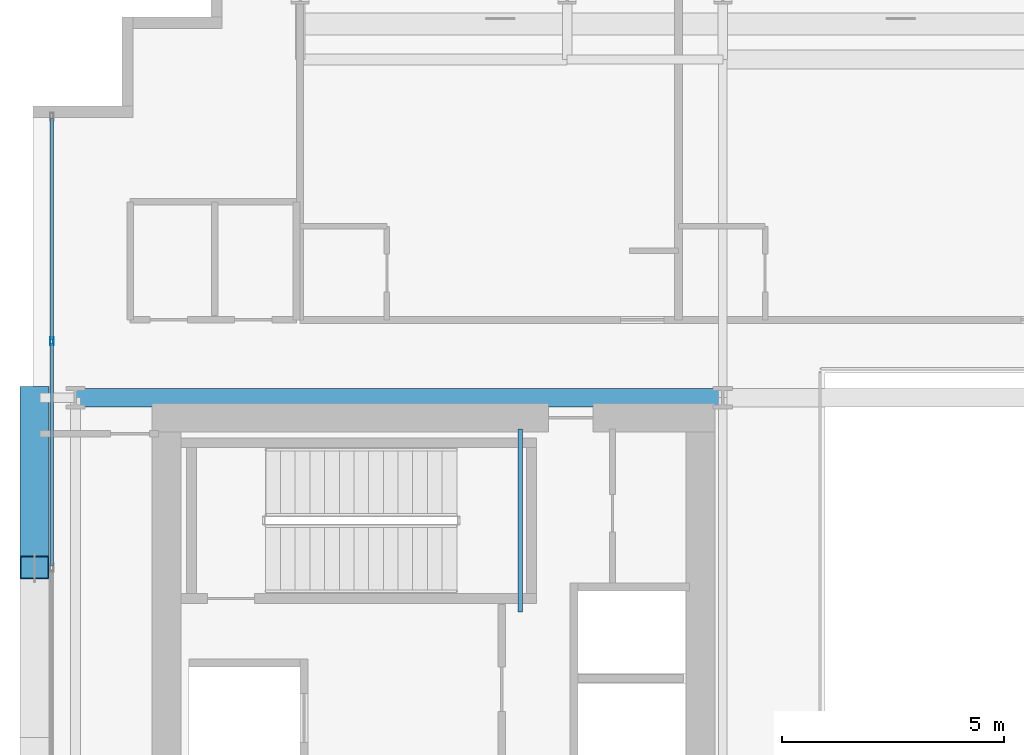
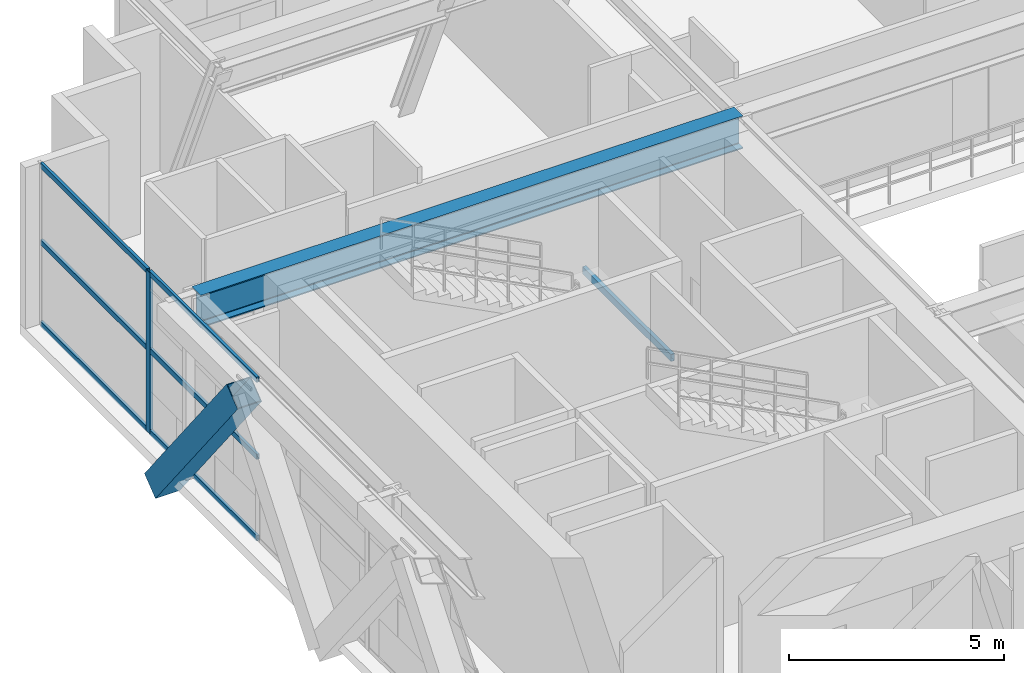
# One storey, part 16 of 35: 8 members, 2 beams, 1 element without a shape of its own.
"""IFC4 building model written with IfcOpenShell, lengths in metres."""

import ifcopenshell
import ifcopenshell.guid

model = None  # the IFC model being written
_history = None  # IfcOwnerHistory: only IFC2X3 demands one
_inside = {}  # id of a spatial element -> (the spatial element, [elements in it])
_under = {}  # id of a project, library or spatial element -> (it, [spatial elements below it])
_declared = {}  # id of a project -> (the project, [libraries it declares])
_typed = {}  # id of a type object -> (the type object, [elements of that type])
_made_of = {}  # id of a material, layer set ... -> (it, [elements and type objects made of it])


def new_model(schema):
    """Start an empty IFC model of exactly this schema.

    Asked for "IFC4X3", IfcOpenShell would pick the latest addendum, in which some entities
    have other attributes; the version numbers below select the first issue.
    IFC2X3 requires an IfcOwnerHistory on every rooted entity: one is made here for all.
    """
    global model, _history
    if schema == "IFC4X3":
        model = ifcopenshell.file(schema_version=(4, 3, 0, 0))
    else:
        model = ifcopenshell.file(schema=schema)
    _inside.clear()
    _under.clear()
    _declared.clear()
    _typed.clear()
    _made_of.clear()
    _history = None
    if model.schema == "IFC2X3":
        org = make("IfcOrganization", Name="unknown")
        user = make(
            "IfcPersonAndOrganization",
            ThePerson=make("IfcPerson", FamilyName="unknown"),
            TheOrganization=org,
        )
        app = make(
            "IfcApplication",
            ApplicationDeveloper=org,
            Version="unknown",
            ApplicationFullName="unknown",
            ApplicationIdentifier="unknown",
        )
        _history = make(
            "IfcOwnerHistory",
            OwningUser=user,
            OwningApplication=app,
            ChangeAction="ADDED",
            CreationDate=0,
        )
    return model


def make(cls, **values):
    """One entity of the class cls with the attributes given. An attribute that is None is left unset."""
    return model.create_entity(
        cls, **{name: value for name, value in values.items() if value is not None}
    )


def rooted(cls, **values):
    """An entity with a GlobalId (a new one), such as an element, a storey or a relation."""
    return make(cls, GlobalId=ifcopenshell.guid.new(), OwnerHistory=_history, **values)


def si_unit(unit_type, name, prefix=None):
    """IfcSIUnit, for example si_unit("LENGTHUNIT", "METRE", prefix="MILLI")."""
    return make("IfcSIUnit", UnitType=unit_type, Prefix=prefix, Name=name)


def assignment(units):
    """IfcUnitAssignment: the units of a project."""
    return None if units is None else make("IfcUnitAssignment", Units=units)


def point(xyz):
    """IfcCartesianPoint."""
    return None if xyz is None else make("IfcCartesianPoint", Coordinates=xyz)


def direction(xyz):
    """IfcDirection."""
    return None if xyz is None else make("IfcDirection", DirectionRatios=xyz)


def frame(location, z_axis=None, x_axis=None):
    """IfcAxis2Placement3D, a coordinate frame: its origin and axes. An axis left out is left unset."""
    return make(
        "IfcAxis2Placement3D",
        Location=point(location),
        Axis=direction(z_axis),
        RefDirection=direction(x_axis),
    )


def frame_2d(location, x_axis=None):
    """IfcAxis2Placement2D, a coordinate frame in the plane: its origin and x axis."""
    return make(
        "IfcAxis2Placement2D", Location=point(location), RefDirection=direction(x_axis)
    )


def origin():
    """The frame at (0, 0, 0) with its axes left unset."""
    return frame((0.0, 0.0, 0.0))


def origin_2d():
    """The frame at (0, 0) in the plane with its x axis left unset."""
    return frame_2d((0.0, 0.0))


def place(relative_to, where):
    """IfcLocalPlacement: puts the frame where relative to a parent placement (None: the world)."""
    return make(
        "IfcLocalPlacement", PlacementRelTo=relative_to, RelativePlacement=where
    )


def context(
    kind, dimensions, precision=None, world=None, true_north=None, identifier=None
):
    """IfcGeometricRepresentationContext, for example the 3D "Model" context."""
    return make(
        "IfcGeometricRepresentationContext",
        ContextIdentifier=identifier,
        ContextType=kind,
        CoordinateSpaceDimension=dimensions,
        Precision=precision,
        WorldCoordinateSystem=world,
        TrueNorth=true_north,
    )


def subcontext(parent, identifier, kind, view, scale=None):
    """IfcGeometricRepresentationSubContext, for example "Body" below "Model"."""
    return make(
        "IfcGeometricRepresentationSubContext",
        ContextIdentifier=identifier,
        ContextType=kind,
        ParentContext=parent,
        TargetScale=scale,
        TargetView=view,
    )


def project(units=None, contexts=None):
    """IfcProject with its units and contexts."""
    return rooted(
        "IfcProject",
        Name="project",
        RepresentationContexts=contexts,
        UnitsInContext=assignment(units),
    )


def spatial(cls, under=None, at=None, **own):
    """A site, building, storey or space (cls), placed at a placement, below another one or the project."""
    s = rooted(cls, ObjectPlacement=at, **own)
    if under is not None:
        _under.setdefault(under.id(), (under, []))[1].append(s)
    return s


def profile(cls, at=None, kind="AREA", **sizes):
    """A parametric profile (cls). Its sizes go by their IFC names, for example OverallWidth=200.0."""
    return make(cls, ProfileType=kind, Position=at, **sizes)


def hollow_rectangle(**sizes):
    """IfcRectangleHollowProfileDef."""
    return profile("IfcRectangleHollowProfileDef", **sizes)


def i_section(**sizes):
    """IfcIShapeProfileDef."""
    return profile("IfcIShapeProfileDef", **sizes)


def extrude(swept, where, along, depth):
    """IfcExtrudedAreaSolid: the profile swept, set in the frame where, extruded along a direction by depth."""
    return make(
        "IfcExtrudedAreaSolid",
        SweptArea=swept,
        Position=where,
        ExtrudedDirection=direction(along),
        Depth=depth,
    )


def shape(context_of_items, identifier, shape_type, items):
    """IfcShapeRepresentation: the items that make up one representation, for example the "Body"."""
    return make(
        "IfcShapeRepresentation",
        ContextOfItems=context_of_items,
        RepresentationIdentifier=identifier,
        RepresentationType=shape_type,
        Items=items,
    )


def source(mapping_origin, context_of_items, identifier, shape_type, items):
    """IfcRepresentationMap: a shape defined once, which mapped items show again and again."""
    return make(
        "IfcRepresentationMap",
        MappingOrigin=mapping_origin,
        MappedRepresentation=shape(context_of_items, identifier, shape_type, items),
    )


def transform(
    local_origin,
    x_axis=None,
    y_axis=None,
    z_axis=None,
    scale=None,
    scale2=None,
    scale3=None,
    uniform=True,
):
    """IfcCartesianTransformationOperator3D, or its non-uniform kind. x_axis, y_axis, z_axis: its Axis1, 2, 3."""
    if uniform:
        return make(
            "IfcCartesianTransformationOperator3D",
            Axis1=direction(x_axis),
            Axis2=direction(y_axis),
            LocalOrigin=point(local_origin),
            Scale=scale,
            Axis3=direction(z_axis),
        )
    return make(
        "IfcCartesianTransformationOperator3DnonUniform",
        Axis1=direction(x_axis),
        Axis2=direction(y_axis),
        LocalOrigin=point(local_origin),
        Scale=scale,
        Axis3=direction(z_axis),
        Scale2=scale2,
        Scale3=scale3,
    )


def mapped(mapping_source, mapping_target):
    """IfcMappedItem: shows the shape of a source again, moved by a transform."""
    return make(
        "IfcMappedItem", MappingSource=mapping_source, MappingTarget=mapping_target
    )


def material(Name=None, Category=None):
    """IfcMaterial."""
    return make("IfcMaterial", Name=Name, Category=Category)


def layer(
    of_material, thickness, ventilated=None, Name=None, Category=None, Priority=None
):
    """IfcMaterialLayer: one layer of a wall or slab, of a material (None: an air gap)."""
    return make(
        "IfcMaterialLayer",
        Material=of_material,
        LayerThickness=thickness,
        IsVentilated=ventilated,
        Name=Name,
        Category=Category,
        Priority=Priority,
    )


def layer_set(layers, Name=None):
    """IfcMaterialLayerSet."""
    return make("IfcMaterialLayerSet", MaterialLayers=layers, LayerSetName=Name)


def material_profile(
    of_material, cross_section, Name=None, Category=None, Priority=None
):
    """IfcMaterialProfile: a cross section and its material."""
    return make(
        "IfcMaterialProfile",
        Name=Name,
        Material=of_material,
        Profile=cross_section,
        Priority=Priority,
        Category=Category,
    )


def profile_set(profiles, Name=None, composite=None):
    """IfcMaterialProfileSet."""
    return make(
        "IfcMaterialProfileSet",
        Name=Name,
        MaterialProfiles=profiles,
        CompositeProfile=composite,
    )


def made_of(thing, what):
    """Note that an element or type object is made of a material, layer set ...; save() writes the relation."""
    if what is not None:
        _made_of.setdefault(what.id(), (what, []))[1].append(thing)
    return thing


def type_object(cls, material=None, **own):
    """A type object (cls), such as IfcWallType, which elements share."""
    return made_of(rooted(cls, **own), material)


def element(
    cls,
    number,
    at=None,
    inside=None,
    cuts=None,
    type_object=None,
    material=None,
    context=None,
    identifier="Body",
    shape_type=None,
    held_by="IfcProductDefinitionShape",
    body=None,
    shapes=None,
    **own,
):
    """One element of the class cls, such as IfcWall. Its Tag is "e" and its number.

    at: its placement. inside: the storey or other place that contains it. cuts: it is an
    opening in that element (IfcRelVoidsElement). A single representation is given by context,
    identifier, shape_type and body (its items); several are given by shapes. held_by: the class
    of the entity that holds the representations. save() writes the other relations.
    """
    e = rooted(cls, Tag="e%d" % number, ObjectPlacement=at, **own)
    if body is not None:
        shapes = [shape(context, identifier, shape_type, body)]
    if shapes is not None:
        e.Representation = make(held_by, Representations=shapes)
    if inside is not None:
        _inside.setdefault(inside.id(), (inside, []))[1].append(e)
    if cuts is not None:
        rooted(
            "IfcRelVoidsElement", RelatingBuildingElement=cuts, RelatedOpeningElement=e
        )
    if type_object is not None:
        _typed.setdefault(type_object.id(), (type_object, []))[1].append(e)
    return made_of(e, material)


def aggregate(whole, parts):
    """IfcRelAggregates: a whole, such as a stair, and the parts it consists of."""
    return rooted("IfcRelAggregates", RelatingObject=whole, RelatedObjects=parts)


def save(model, path):
    """Write the relations noted so far, then the file.

    IfcRelAggregates (storeys below a building ...), IfcRelContainedInSpatialStructure (elements
    in a storey), IfcRelDefinesByType, IfcRelAssociatesMaterial and IfcRelDeclares: one each for
    every whole, place, type object, material and project.
    """
    for whole, parts in _under.values():
        aggregate(whole, parts)
    for where, things in _inside.values():
        rooted(
            "IfcRelContainedInSpatialStructure",
            RelatedElements=things,
            RelatingStructure=where,
        )
    for kind, things in _typed.values():
        rooted("IfcRelDefinesByType", RelatedObjects=things, RelatingType=kind)
    for what, things in _made_of.values():
        rooted("IfcRelAssociatesMaterial", RelatedObjects=things, RelatingMaterial=what)
    for by, libraries in _declared.values():
        rooted("IfcRelDeclares", RelatingContext=by, RelatedDefinitions=libraries)
    model.write(path)


model = new_model("IFC4")

# Units and contexts
model_context = context("Model", 3, precision=1e-05, world=origin(), true_north=direction((0.0, 1.0)))
body_context = subcontext(model_context, "Body", "Model", "MODEL_VIEW")
ifc_project = project(units=[si_unit("LENGTHUNIT", "METRE"), si_unit("AREAUNIT", "SQUARE_METRE"), si_unit("VOLUMEUNIT", "CUBIC_METRE"), si_unit("PLANEANGLEUNIT", "RADIAN"), si_unit("MASSUNIT", "GRAM", prefix="KILO")], contexts=[model_context])

# Site, building, storey
site_placement = place(None, origin())
site = spatial("IfcSite", under=ifc_project, at=site_placement, CompositionType="ELEMENT")
building_placement = place(site_placement, origin())
building = spatial("IfcBuilding", under=site, at=building_placement, Name="Ocotamira Hotel", CompositionType="ELEMENT")
storey_placement = place(building_placement, frame((0.0, 0.0, 158.39990234375)))
storey = spatial("IfcBuildingStorey", under=building, at=storey_placement, Name="L39", CompositionType="ELEMENT", Elevation=158.39990234375)

# Beams
ifc_material_1 = material(Name="Steel ASTM A500 Grade C", Category="steel")
ifc_material_profile_1 = material_profile(ifc_material_1, hollow_rectangle(XDim=0.10009765625, YDim=0.199951171875, WallThickness=0.008056640625, at=origin_2d()), Name="HSS200X100X8")
ifc_profile_set_1 = profile_set([ifc_material_profile_1], Name="Steel ASTM A500 Grade C")
beam_type_1 = type_object("IfcBeamType", Name="BM-STLDG-HSS200", PredefinedType="BEAM", material=ifc_profile_set_1)
shared_shape_1 = source(origin(), body_context, "Body", "SweptSolid", [
    extrude(hollow_rectangle(XDim=0.10009765625, YDim=0.199951171875, WallThickness=0.008056640625, at=origin_2d()), origin(), (0.0, 0.0, 1.0), 4.1201171875),
])
beam_1_placement = place(storey_placement, frame((18.949951171875, 32.6298828125, 2.10009765625), z_axis=(0.0, 1.0, 0.0), x_axis=(-1.0, 0.0, 0.0)))
element("IfcBeam", 1, at=beam_1_placement, inside=storey, type_object=beam_type_1, Name="L39 Stair ST-2 Landing Bearer 1", PredefinedType="BEAM", context=body_context, shape_type="MappedRepresentation", body=[
    mapped(shared_shape_1, transform((0.0, 0.0, 0.0), scale=1.0)),
])
ifc_material_2 = material(Name="Steel ASTM A992 Grade 50", Category="steel")
ifc_material_profile_2 = material_profile(ifc_material_2, i_section(OverallWidth=0.41796875, OverallDepth=0.927001953125, WebThickness=0.019287109375, FlangeThickness=0.031982421875, FilletRadius=0.02392578125, at=origin_2d()), Name="W36X231")
ifc_profile_set_2 = profile_set([ifc_material_profile_2], Name="Steel ASTM A992 Grade 50")
beam_type_2 = type_object("IfcBeamType", Name="BM-GIRD-W36X231", PredefinedType="BEAM", material=ifc_profile_set_2)
shared_shape_2 = source(origin(), body_context, "Body", "SweptSolid", [
    extrude(i_section(OverallWidth=0.41796875, OverallDepth=0.927001953125, WebThickness=0.019287109375, FlangeThickness=0.031982421875, FilletRadius=0.02392578125, at=origin_2d()), origin(), (0.0, 0.0, 1.0), 14.550048828125),
])
beam_2_placement = place(storey_placement, frame((8.949951171875, 37.449951171875, 4.106689453125), z_axis=(1.0, 0.0, 0.0), x_axis=(0.0, 1.0, 0.0)))
element("IfcBeam", 2, at=beam_2_placement, inside=storey, type_object=beam_type_2, Name="L39 Girder Y37.45 X8.95-23.5", PredefinedType="BEAM", context=body_context, shape_type="MappedRepresentation", body=[
    mapped(shared_shape_2, transform((0.0, 0.0, 0.0), scale=1.0)),
])

# Member
ifc_material_3 = material(Name="Pale-metal coated steel ASTM A913 Grade 65", Category="steel")
ifc_material_profile_3 = material_profile(ifc_material_3, hollow_rectangle(XDim=0.64990234375, YDim=0.64990234375, WallThickness=0.02197265625, at=origin_2d()), Name="BOX650X650X22")
ifc_profile_set_3 = profile_set([ifc_material_profile_3], Name="Pale-metal coated steel ASTM A913 Grade 65")
member_type_1 = type_object("IfcMemberType", Name="MEM-EXO-BOX650", PredefinedType="BRACE", material=ifc_profile_set_3)
shared_shape_3 = source(origin(), body_context, "Body", "SweptSolid", [
    extrude(hollow_rectangle(XDim=0.64990234375, YDim=0.64990234375, WallThickness=0.02197265625, at=origin_2d()), origin(), (0.0, 0.0, 1.0), 6.171630859375),
])
member_1_placement = place(storey_placement, frame((8.030029296875, 37.449951171875, -0.52978515625), z_axis=(0.0, -0.618427608591, 0.785841773471), x_axis=(1.0, 0.0, 0.0)))
element("IfcMember", 3, at=member_1_placement, inside=storey, type_object=member_type_1, Name="L39 Exoskeleton Diagrid W2.2", PredefinedType="BRACE", context=body_context, shape_type="MappedRepresentation", body=[
    mapped(shared_shape_3, transform((0.0, 0.0, 0.0), scale=1.0)),
])

# Curtain wall, members
ifc_material_4 = material(Name="Anodised pale-metal aluminium and solar glass", Category="aluminium")
ifc_layer = layer(ifc_material_4, 0.239990234375)
ifc_layer_set = layer_set([ifc_layer], Name="Anodised pale-metal aluminium and solar glass")
curtain_wall_type = type_object("IfcCurtainWallType", Name="CW-SYS5-SKY", PredefinedType="NOTDEFINED", material=ifc_layer_set)
curtain_wall_placement = place(storey_placement, origin())
curtain_wall = element("IfcCurtainWall", 4, at=curtain_wall_placement, inside=storey, type_object=curtain_wall_type, Name="L39 Curtain Wall CW-5 CW-L39-W", PredefinedType="NOTDEFINED")
ifc_material_5 = material(Name="Anodised pale-metal aluminium 6063-T6", Category="aluminium")
ifc_material_profile_4 = material_profile(ifc_material_5, hollow_rectangle(XDim=0.074951171875, YDim=0.14990234375, WallThickness=0.006103515625, at=origin_2d()), Name="HSS150X75X6")
ifc_profile_set_4 = profile_set([ifc_material_profile_4], Name="Anodised pale-metal aluminium 6063-T6")
member_type_2 = type_object("IfcMemberType", Name="CWT-150X75", PredefinedType="USERDEFINED", material=ifc_profile_set_4)
shared_shape_4 = source(origin(), body_context, "Body", "SweptSolid", [
    extrude(hollow_rectangle(XDim=0.074951171875, YDim=0.14990234375, WallThickness=0.006103515625, at=origin_2d()), origin(), (0.0, 0.0, 1.0), 4.965576171875),
])
member_2_placement = place(storey_placement, frame((8.419921875, 38.75439453125, 0.03759765625), z_axis=(0.0, 1.0, 0.0), x_axis=(-1.0, 0.0, 0.0)))
member_2 = element("IfcMember", 5, at=member_2_placement, type_object=member_type_2, Name="CW-5 transom 7.1", ObjectType="TRANSOM", PredefinedType="USERDEFINED", context=body_context, shape_type="MappedRepresentation", body=[
    mapped(shared_shape_4, transform((0.0, 0.0, 0.0), scale=1.0)),
])
member_3_placement = place(storey_placement, frame((8.419921875, 38.75439453125, 2.35009765625), z_axis=(0.0, 1.0, 0.0), x_axis=(-1.0, 0.0, 0.0)))
member_3 = element("IfcMember", 6, at=member_3_placement, type_object=member_type_2, Name="CW-5 transom 7.2", ObjectType="TRANSOM", PredefinedType="USERDEFINED", context=body_context, shape_type="MappedRepresentation", body=[
    mapped(shared_shape_4, transform((0.0, 0.0, 0.0), scale=1.0)),
])
member_4_placement = place(storey_placement, frame((8.419921875, 38.75439453125, 4.53271484375), z_axis=(0.0, 1.0, 0.0), x_axis=(-1.0, 0.0, 0.0)))
member_4 = element("IfcMember", 7, at=member_4_placement, type_object=member_type_2, Name="CW-5 transom 7.3", ObjectType="TRANSOM", PredefinedType="USERDEFINED", context=body_context, shape_type="MappedRepresentation", body=[
    mapped(shared_shape_4, transform((0.0, 0.0, 0.0), scale=1.0)),
])
shared_shape_5 = source(origin(), body_context, "Body", "SweptSolid", [
    extrude(hollow_rectangle(XDim=0.074951171875, YDim=0.14990234375, WallThickness=0.006103515625, at=origin_2d()), origin(), (0.0, 0.0, 1.0), 5.005859375),
])
member_5_placement = place(storey_placement, frame((8.419921875, 33.66845703125, 0.03759765625), z_axis=(0.0, 1.0, 0.0), x_axis=(-1.0, 0.0, 0.0)))
member_5 = element("IfcMember", 8, at=member_5_placement, type_object=member_type_2, Name="CW-5 transom 6.1", ObjectType="TRANSOM", PredefinedType="USERDEFINED", context=body_context, shape_type="MappedRepresentation", body=[
    mapped(shared_shape_5, transform((0.0, 0.0, 0.0), scale=1.0)),
])
member_6_placement = place(storey_placement, frame((8.419921875, 33.66845703125, 2.35009765625), z_axis=(0.0, 1.0, 0.0), x_axis=(-1.0, 0.0, 0.0)))
member_6 = element("IfcMember", 9, at=member_6_placement, type_object=member_type_2, Name="CW-5 transom 6.2", ObjectType="TRANSOM", PredefinedType="USERDEFINED", context=body_context, shape_type="MappedRepresentation", body=[
    mapped(shared_shape_5, transform((0.0, 0.0, 0.0), scale=1.0)),
])
member_7_placement = place(storey_placement, frame((8.419921875, 33.66845703125, 4.53271484375), z_axis=(0.0, 1.0, 0.0), x_axis=(-1.0, 0.0, 0.0)))
member_7 = element("IfcMember", 10, at=member_7_placement, type_object=member_type_2, Name="CW-5 transom 6.3", ObjectType="TRANSOM", PredefinedType="USERDEFINED", context=body_context, shape_type="MappedRepresentation", body=[
    mapped(shared_shape_5, transform((0.0, 0.0, 0.0), scale=1.0)),
])
ifc_material_profile_5 = material_profile(ifc_material_5, hollow_rectangle(XDim=0.080078125, YDim=0.179931640625, WallThickness=0.006103515625, at=origin_2d()), Name="HSS180X80X6")
ifc_profile_set_5 = profile_set([ifc_material_profile_5], Name="Anodised pale-metal aluminium 6063-T6")
member_type_3 = type_object("IfcMemberType", Name="CWM-180X75", PredefinedType="MULLION", material=ifc_profile_set_5)
shared_shape_6 = source(origin(), body_context, "Body", "SweptSolid", [
    extrude(hollow_rectangle(XDim=0.080078125, YDim=0.179931640625, WallThickness=0.006103515625, at=origin_2d()), origin(), (0.0, 0.0, 1.0), 4.570068359375),
])
member_8_placement = place(storey_placement, frame((8.419921875, 38.71435546875, 0.0), z_axis=(0.0, 0.0, 1.0), x_axis=(-1.0, 0.0, 0.0)))
member_8 = element("IfcMember", 11, at=member_8_placement, type_object=member_type_3, Name="CW-5 mullion 7", PredefinedType="MULLION", context=body_context, shape_type="MappedRepresentation", body=[
    mapped(shared_shape_6, transform((0.0, 0.0, 0.0), scale=1.0)),
])
aggregate(curtain_wall, [member_8, member_5, member_6, member_7, member_2, member_3, member_4])

save(model, "model.ifc")
